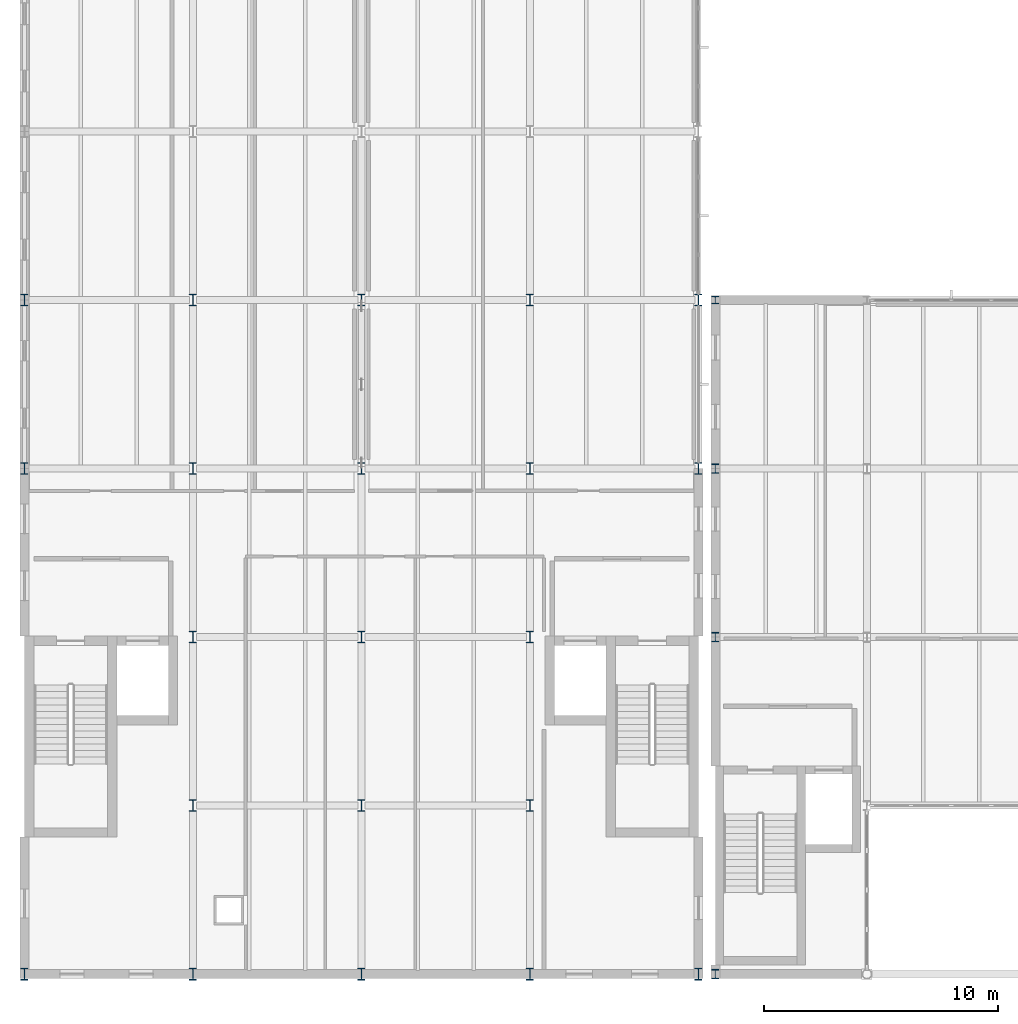
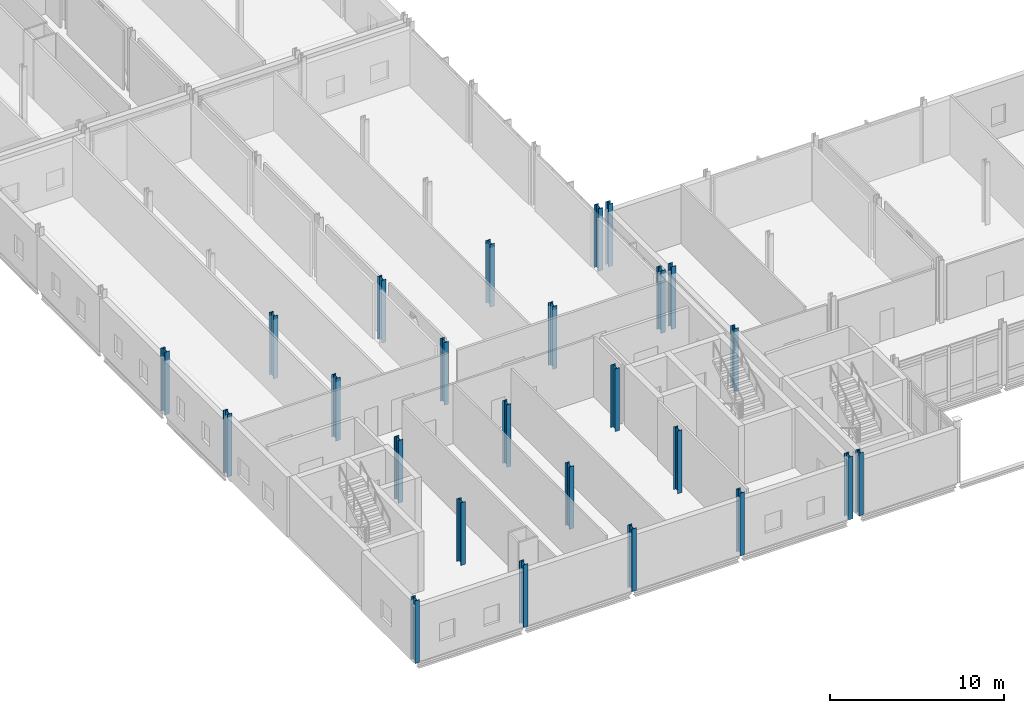
# One storey, part 1 of 76: 25 columns.
"""IFC4 building model written with IfcOpenShell, lengths in metres."""

from ifc_helpers import new_model, si_unit, direction, frame, origin, origin_2d, place, context, subcontext, project, spatial, i_section, extrude, material, material_profile, profile_set, type_object, element, save


model = new_model("IFC4")

# Units and contexts
model_context = context("Model", 3, precision=1e-05, world=origin(), true_north=direction((0.0, 1.0)))
body_context = subcontext(model_context, "Body", "Model", "MODEL_VIEW")
ifc_project = project(units=[si_unit("LENGTHUNIT", "METRE"), si_unit("AREAUNIT", "SQUARE_METRE"), si_unit("VOLUMEUNIT", "CUBIC_METRE"), si_unit("PLANEANGLEUNIT", "RADIAN"), si_unit("MASSUNIT", "GRAM", prefix="KILO")], contexts=[model_context])

# Site, building, storey
site_placement = place(None, origin())
site = spatial("IfcSite", under=ifc_project, at=site_placement, CompositionType="ELEMENT")
building_placement = place(site_placement, origin())
building = spatial("IfcBuilding", under=site, at=building_placement, Name="Zarrinpeak Specialist Clinic", CompositionType="ELEMENT")
storey_placement = place(building_placement, frame((0.0, 0.0, 5.199951171875)))
storey = spatial("IfcBuildingStorey", under=building, at=storey_placement, Name="L01", CompositionType="ELEMENT", Elevation=5.199951171875)

# Columns
ifc_material = material(Name="Steel S355", Category="steel")
ifc_material_profile_1 = material_profile(ifc_material, i_section(OverallWidth=0.300048828125, OverallDepth=0.320068359375, WebThickness=0.011474609375, FlangeThickness=0.0205078125, FilletRadius=0.027099609375, at=origin_2d()), Name="HEB 320")
ifc_profile_set_1 = profile_set([ifc_material_profile_1], Name="Steel S355")
column_type_1 = type_object("IfcColumnType", Name="COL-HEB320", PredefinedType="COLUMN", material=ifc_profile_set_1)
column_placement = place(storey_placement, frame((29.52001953125, 28.800048828125, 0.0), z_axis=(0.0, 0.0, 1.0), x_axis=(1.0, 0.0, 0.0)))
element("IfcColumn", 1, at=column_placement, inside=storey, type_object=column_type_1, Name="L01 Structural Column COL-L01-068", PredefinedType="COLUMN", context=body_context, shape_type="SweptSolid", body=[
    extrude(i_section(OverallWidth=0.300048828125, OverallDepth=0.320068359375, WebThickness=0.011474609375, FlangeThickness=0.0205078125, FilletRadius=0.027099609375, at=origin_2d()), origin(), (0.0, 0.0, 1.0), 4.400146484375),
])
ifc_material_profile_2 = material_profile(ifc_material, i_section(OverallWidth=0.300048828125, OverallDepth=0.39990234375, WebThickness=0.013427734375, FlangeThickness=0.02392578125, FilletRadius=0.027099609375, at=origin_2d()), Name="HEB 400")
ifc_profile_set_2 = profile_set([ifc_material_profile_2], Name="Steel S355")
column_type_2 = type_object("IfcColumnType", Name="COL-HEB400", PredefinedType="COLUMN", material=ifc_profile_set_2)
for number, where, z_axis, x_axis, name in (
    (2, (29.52001953125, 0.0, 0.0), (0.0, 0.0, 1.0), (1.0, 0.0, 0.0), "L01 Structural Column COL-L01-065"),
    (3, (29.52001953125, 14.39990234375, 0.0), (0.0, 0.0, 1.0), (1.0, 0.0, 0.0), "L01 Structural Column COL-L01-066"),
    (4, (29.52001953125, 21.60009765625, 0.0), (0.0, 0.0, 1.0), (1.0, 0.0, 0.0), "L01 Structural Column COL-L01-067"),
):
    element("IfcColumn", number, at=place(storey_placement, frame(where, z_axis=z_axis, x_axis=x_axis)), inside=storey, type_object=column_type_2, Name=name, PredefinedType="COLUMN", context=body_context, shape_type="SweptSolid", body=[
        extrude(i_section(OverallWidth=0.300048828125, OverallDepth=0.39990234375, WebThickness=0.013427734375, FlangeThickness=0.02392578125, FilletRadius=0.027099609375, at=origin_2d()), origin(), (0.0, 0.0, 1.0), 4.400146484375),
    ])
ifc_material_profile_3 = material_profile(ifc_material, i_section(OverallWidth=0.300048828125, OverallDepth=0.5, WebThickness=0.014404296875, FlangeThickness=0.028076171875, FilletRadius=0.027099609375, at=origin_2d()), Name="HEB 500")
ifc_profile_set_3 = profile_set([ifc_material_profile_3], Name="Steel S355")
column_type_3 = type_object("IfcColumnType", Name="COL-HEB500", PredefinedType="COLUMN", material=ifc_profile_set_3)
for number, where, z_axis, x_axis, name in (
    (5, (0.0, 0.0, 0.0), (0.0, 0.0, 1.0), (1.0, 0.0, 0.0), "L01 Structural Column COL-L01-001"),
    (6, (0.0, 21.60009765625, 0.0), (0.0, 0.0, 1.0), (1.0, 0.0, 0.0), "L01 Structural Column COL-L01-002"),
    (7, (0.0, 28.800048828125, 0.0), (0.0, 0.0, 1.0), (1.0, 0.0, 0.0), "L01 Structural Column COL-L01-003"),
    (8, (7.199951171875, 0.0, 0.0), (0.0, 0.0, 1.0), (1.0, 0.0, 0.0), "L01 Structural Column COL-L01-012"),
    (9, (7.199951171875, 7.199951171875, 0.0), (0.0, 0.0, 1.0), (1.0, 0.0, 0.0), "L01 Structural Column COL-L01-013"),
    (10, (7.199951171875, 14.39990234375, 0.0), (0.0, 0.0, 1.0), (1.0, 0.0, 0.0), "L01 Structural Column COL-L01-014"),
    (11, (7.199951171875, 21.60009765625, 0.0), (0.0, 0.0, 1.0), (1.0, 0.0, 0.0), "L01 Structural Column COL-L01-015"),
    (12, (7.199951171875, 28.800048828125, 0.0), (0.0, 0.0, 1.0), (1.0, 0.0, 0.0), "L01 Structural Column COL-L01-016"),
    (13, (14.39990234375, 0.0, 0.0), (0.0, 0.0, 1.0), (1.0, 0.0, 0.0), "L01 Structural Column COL-L01-026"),
    (14, (14.39990234375, 7.199951171875, 0.0), (0.0, 0.0, 1.0), (1.0, 0.0, 0.0), "L01 Structural Column COL-L01-027"),
    (15, (14.39990234375, 14.39990234375, 0.0), (0.0, 0.0, 1.0), (1.0, 0.0, 0.0), "L01 Structural Column COL-L01-028"),
    (16, (14.39990234375, 21.60009765625, 0.0), (0.0, 0.0, 1.0), (1.0, 0.0, 0.0), "L01 Structural Column COL-L01-029"),
    (17, (14.39990234375, 28.800048828125, 0.0), (0.0, 0.0, 1.0), (1.0, 0.0, 0.0), "L01 Structural Column COL-L01-030"),
    (18, (21.60009765625, 0.0, 0.0), (0.0, 0.0, 1.0), (1.0, 0.0, 0.0), "L01 Structural Column COL-L01-040"),
    (19, (21.60009765625, 7.199951171875, 0.0), (0.0, 0.0, 1.0), (1.0, 0.0, 0.0), "L01 Structural Column COL-L01-041"),
    (20, (21.60009765625, 14.39990234375, 0.0), (0.0, 0.0, 1.0), (1.0, 0.0, 0.0), "L01 Structural Column COL-L01-042"),
    (21, (21.60009765625, 21.60009765625, 0.0), (0.0, 0.0, 1.0), (1.0, 0.0, 0.0), "L01 Structural Column COL-L01-043"),
    (22, (21.60009765625, 28.800048828125, 0.0), (0.0, 0.0, 1.0), (1.0, 0.0, 0.0), "L01 Structural Column COL-L01-044"),
    (23, (28.800048828125, 0.0, 0.0), (0.0, 0.0, 1.0), (1.0, 0.0, 0.0), "L01 Structural Column COL-L01-054"),
    (24, (28.800048828125, 21.60009765625, 0.0), (0.0, 0.0, 1.0), (1.0, 0.0, 0.0), "L01 Structural Column COL-L01-055"),
    (25, (28.800048828125, 28.800048828125, 0.0), (0.0, 0.0, 1.0), (1.0, 0.0, 0.0), "L01 Structural Column COL-L01-056"),
):
    element("IfcColumn", number, at=place(storey_placement, frame(where, z_axis=z_axis, x_axis=x_axis)), inside=storey, type_object=column_type_3, Name=name, PredefinedType="COLUMN", context=body_context, shape_type="SweptSolid", body=[
        extrude(i_section(OverallWidth=0.300048828125, OverallDepth=0.5, WebThickness=0.014404296875, FlangeThickness=0.028076171875, FilletRadius=0.027099609375, at=origin_2d()), origin(), (0.0, 0.0, 1.0), 4.400146484375),
    ])

save(model, "model.ifc")
